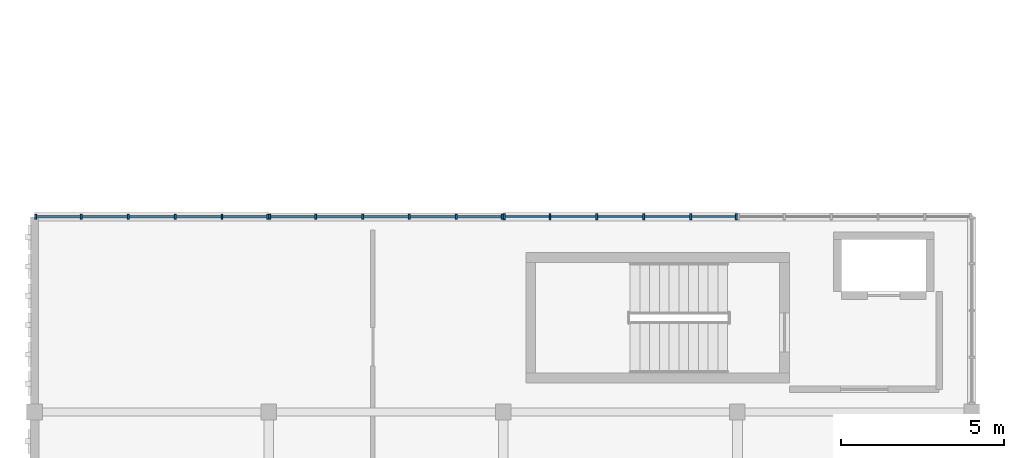
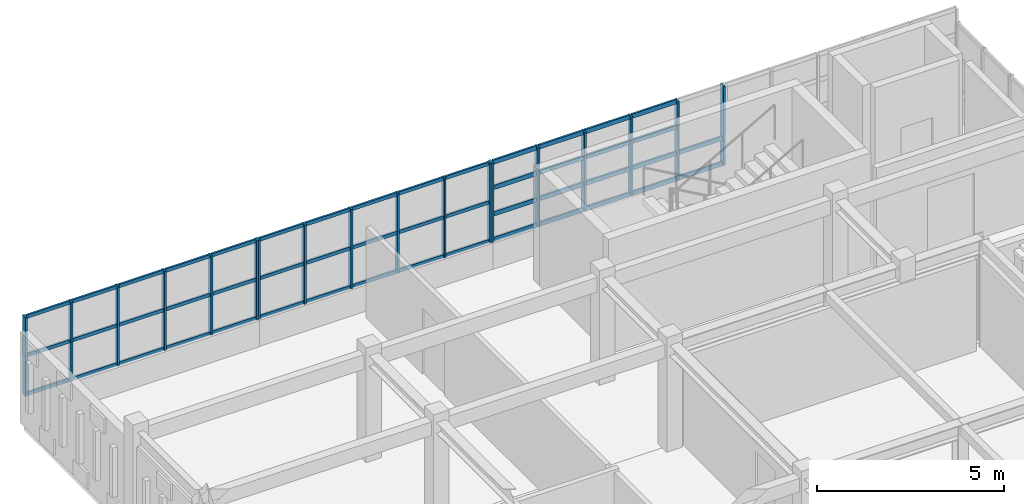
# One storey, part 7 of 53: 66 members, 3 elements without a shape of their own.
"""IFC4 building model written with IfcOpenShell, lengths in metres."""

from ifc_helpers import new_model, si_unit, direction, frame, origin, origin_2d, place, context, subcontext, project, spatial, rectangle, extrude, material, material_profile, profile_set, type_object, element, aggregate, save


model = new_model("IFC4")

# Units and contexts
model_context = context("Model", 3, precision=1e-05, world=origin(), true_north=direction((0.0, 1.0)))
body_context = subcontext(model_context, "Body", "Model", "MODEL_VIEW")
ifc_project = project(units=[si_unit("LENGTHUNIT", "METRE"), si_unit("AREAUNIT", "SQUARE_METRE"), si_unit("VOLUMEUNIT", "CUBIC_METRE"), si_unit("PLANEANGLEUNIT", "RADIAN"), si_unit("MASSUNIT", "GRAM", prefix="KILO")], contexts=[model_context])

# Site, building, storey
site_placement = place(None, origin())
site = spatial("IfcSite", under=ifc_project, at=site_placement, CompositionType="ELEMENT")
building_placement = place(site_placement, origin())
building = spatial("IfcBuilding", under=site, at=building_placement, Name="Nzembalo Square Collegiate School", CompositionType="ELEMENT")
storey_placement = place(building_placement, frame((0.0, 0.0, 13.60009765625)))
storey = spatial("IfcBuildingStorey", under=building, at=storey_placement, Name="L03", CompositionType="ELEMENT", Elevation=13.60009765625)

# Curtain wall, members
ifc_material_1 = material(Name="Aluminium 6060-T66", Category="aluminium")
curtain_wall_type_1 = type_object("IfcCurtainWallType", Name="CW-09", PredefinedType="USERDEFINED", material=ifc_material_1)
curtain_wall_1_placement = place(storey_placement, origin())
curtain_wall_1 = element("IfcCurtainWall", 1, at=curtain_wall_1_placement, inside=storey, type_object=curtain_wall_type_1, Name="Curtain wall CW-09 cw:L03:128", ObjectType="UNITISED", PredefinedType="USERDEFINED")
ifc_material_2 = material(Name="Aluminium 6060-T66", Category="aluminium")
ifc_material_profile_1 = material_profile(ifc_material_2, rectangle(XDim=0.06005859375, YDim=0.179931640625, at=origin_2d()), Name="ALU M60x180")
ifc_profile_set_1 = profile_set([ifc_material_profile_1], Name="Aluminium 6060-T66")
member_type_1 = type_object("IfcMemberType", Name="ML01", PredefinedType="MULLION", material=ifc_profile_set_1)
member_1_placement = place(storey_placement, frame((22.830078125, 88.800048828125, 0.849853515625), z_axis=(0.0, 0.0, 1.0), x_axis=(1.0, 0.0, 0.0)))
member_1 = element("IfcMember", 2, at=member_1_placement, type_object=member_type_1, Name="ML01 mullion 1", PredefinedType="MULLION", context=body_context, shape_type="SweptSolid", body=[
    extrude(rectangle(XDim=0.06005859375, YDim=0.179931640625, at=origin_2d()), origin(), (0.0, 0.0, 1.0), 2.583984375),
])
member_2_placement = place(storey_placement, frame((24.239990234375, 88.800048828125, 0.849853515625), z_axis=(0.0, 0.0, 1.0), x_axis=(1.0, 0.0, 0.0)))
member_2 = element("IfcMember", 3, at=member_2_placement, type_object=member_type_1, Name="ML01 mullion 2", PredefinedType="MULLION", context=body_context, shape_type="SweptSolid", body=[
    extrude(rectangle(XDim=0.06005859375, YDim=0.179931640625, at=origin_2d()), origin(), (0.0, 0.0, 1.0), 2.583984375),
])
member_3_placement = place(storey_placement, frame((25.679931640625, 88.800048828125, 0.849853515625), z_axis=(0.0, 0.0, 1.0), x_axis=(1.0, 0.0, 0.0)))
member_3 = element("IfcMember", 4, at=member_3_placement, type_object=member_type_1, Name="ML01 mullion 3", PredefinedType="MULLION", context=body_context, shape_type="SweptSolid", body=[
    extrude(rectangle(XDim=0.06005859375, YDim=0.179931640625, at=origin_2d()), origin(), (0.0, 0.0, 1.0), 2.583984375),
])
member_4_placement = place(storey_placement, frame((27.1201171875, 88.800048828125, 0.849853515625), z_axis=(0.0, 0.0, 1.0), x_axis=(1.0, 0.0, 0.0)))
member_4 = element("IfcMember", 5, at=member_4_placement, type_object=member_type_1, Name="ML01 mullion 4", PredefinedType="MULLION", context=body_context, shape_type="SweptSolid", body=[
    extrude(rectangle(XDim=0.06005859375, YDim=0.179931640625, at=origin_2d()), origin(), (0.0, 0.0, 1.0), 2.583984375),
])
member_5_placement = place(storey_placement, frame((28.56005859375, 88.800048828125, 0.849853515625), z_axis=(0.0, 0.0, 1.0), x_axis=(1.0, 0.0, 0.0)))
member_5 = element("IfcMember", 6, at=member_5_placement, type_object=member_type_1, Name="ML01 mullion 5", PredefinedType="MULLION", context=body_context, shape_type="SweptSolid", body=[
    extrude(rectangle(XDim=0.06005859375, YDim=0.179931640625, at=origin_2d()), origin(), (0.0, 0.0, 1.0), 2.583984375),
])
member_6_placement = place(storey_placement, frame((29.969970703125, 88.800048828125, 0.849853515625), z_axis=(0.0, 0.0, 1.0), x_axis=(1.0, 0.0, 0.0)))
member_6 = element("IfcMember", 7, at=member_6_placement, type_object=member_type_1, Name="ML01 mullion 6", PredefinedType="MULLION", context=body_context, shape_type="SweptSolid", body=[
    extrude(rectangle(XDim=0.06005859375, YDim=0.179931640625, at=origin_2d()), origin(), (0.0, 0.0, 1.0), 2.583984375),
])

ifc_material_3 = material(Name="Aluminium 6060-T66", Category="aluminium")
curtain_wall_type_2 = type_object("IfcCurtainWallType", Name="CW-11", PredefinedType="USERDEFINED", material=ifc_material_3)
curtain_wall_2_placement = place(storey_placement, origin())
curtain_wall_2 = element("IfcCurtainWall", 8, at=curtain_wall_2_placement, inside=storey, type_object=curtain_wall_type_2, Name="Curtain wall CW-11 cw:L03:126", ObjectType="LANCET", PredefinedType="USERDEFINED")
ifc_material_4 = material(Name="Aluminium 6060-T66", Category="aluminium")
ifc_material_profile_2 = material_profile(ifc_material_4, rectangle(XDim=0.06005859375, YDim=0.14990234375, at=origin_2d()), Name="ALU M60x150")
ifc_profile_set_2 = profile_set([ifc_material_profile_2], Name="Aluminium 6060-T66")
member_type_2 = type_object("IfcMemberType", Name="ML02", PredefinedType="MULLION", material=ifc_profile_set_2)
member_7_placement = place(storey_placement, frame((8.429931640625, 88.800048828125, 0.849853515625), z_axis=(0.0, 0.0, 1.0), x_axis=(1.0, 0.0, 0.0)))
member_7 = element("IfcMember", 9, at=member_7_placement, type_object=member_type_2, Name="ML02 mullion 1", PredefinedType="MULLION", context=body_context, shape_type="SweptSolid", body=[
    extrude(rectangle(XDim=0.06005859375, YDim=0.14990234375, at=origin_2d()), origin(), (0.0, 0.0, 1.0), 2.583984375),
])
member_8_placement = place(storey_placement, frame((9.840087890625, 88.800048828125, 0.849853515625), z_axis=(0.0, 0.0, 1.0), x_axis=(1.0, 0.0, 0.0)))
member_8 = element("IfcMember", 10, at=member_8_placement, type_object=member_type_2, Name="ML02 mullion 2", PredefinedType="MULLION", context=body_context, shape_type="SweptSolid", body=[
    extrude(rectangle(XDim=0.06005859375, YDim=0.14990234375, at=origin_2d()), origin(), (0.0, 0.0, 1.0), 2.583984375),
])
member_9_placement = place(storey_placement, frame((11.280029296875, 88.800048828125, 0.849853515625), z_axis=(0.0, 0.0, 1.0), x_axis=(1.0, 0.0, 0.0)))
member_9 = element("IfcMember", 11, at=member_9_placement, type_object=member_type_2, Name="ML02 mullion 3", PredefinedType="MULLION", context=body_context, shape_type="SweptSolid", body=[
    extrude(rectangle(XDim=0.06005859375, YDim=0.14990234375, at=origin_2d()), origin(), (0.0, 0.0, 1.0), 2.583984375),
])
member_10_placement = place(storey_placement, frame((12.719970703125, 88.800048828125, 0.849853515625), z_axis=(0.0, 0.0, 1.0), x_axis=(1.0, 0.0, 0.0)))
member_10 = element("IfcMember", 12, at=member_10_placement, type_object=member_type_2, Name="ML02 mullion 4", PredefinedType="MULLION", context=body_context, shape_type="SweptSolid", body=[
    extrude(rectangle(XDim=0.06005859375, YDim=0.14990234375, at=origin_2d()), origin(), (0.0, 0.0, 1.0), 2.583984375),
])
member_11_placement = place(storey_placement, frame((14.159912109375, 88.800048828125, 0.849853515625), z_axis=(0.0, 0.0, 1.0), x_axis=(1.0, 0.0, 0.0)))
member_11 = element("IfcMember", 13, at=member_11_placement, type_object=member_type_2, Name="ML02 mullion 5", PredefinedType="MULLION", context=body_context, shape_type="SweptSolid", body=[
    extrude(rectangle(XDim=0.06005859375, YDim=0.14990234375, at=origin_2d()), origin(), (0.0, 0.0, 1.0), 2.583984375),
])
member_12_placement = place(storey_placement, frame((15.570068359375, 88.800048828125, 0.849853515625), z_axis=(0.0, 0.0, 1.0), x_axis=(1.0, 0.0, 0.0)))
member_12 = element("IfcMember", 14, at=member_12_placement, type_object=member_type_2, Name="ML02 mullion 6", PredefinedType="MULLION", context=body_context, shape_type="SweptSolid", body=[
    extrude(rectangle(XDim=0.06005859375, YDim=0.14990234375, at=origin_2d()), origin(), (0.0, 0.0, 1.0), 2.583984375),
])

ifc_material_5 = material(Name="Aluminium 6060-T66", Category="aluminium")
curtain_wall_type_3 = type_object("IfcCurtainWallType", Name="CW-12", PredefinedType="USERDEFINED", material=ifc_material_5)
curtain_wall_3_placement = place(storey_placement, origin())
curtain_wall_3 = element("IfcCurtainWall", 15, at=curtain_wall_3_placement, inside=storey, type_object=curtain_wall_type_3, Name="Curtain wall CW-12 cw:L03:127", ObjectType="LANCET", PredefinedType="USERDEFINED")
member_13_placement = place(storey_placement, frame((15.6298828125, 88.800048828125, 0.849853515625), z_axis=(0.0, 0.0, 1.0), x_axis=(1.0, 0.0, 0.0)))
member_13 = element("IfcMember", 16, at=member_13_placement, type_object=member_type_2, Name="ML02 mullion 1", PredefinedType="MULLION", context=body_context, shape_type="SweptSolid", body=[
    extrude(rectangle(XDim=0.06005859375, YDim=0.14990234375, at=origin_2d()), origin(), (0.0, 0.0, 1.0), 2.583984375),
])
member_14_placement = place(storey_placement, frame((17.0400390625, 88.800048828125, 0.849853515625), z_axis=(0.0, 0.0, 1.0), x_axis=(1.0, 0.0, 0.0)))
member_14 = element("IfcMember", 17, at=member_14_placement, type_object=member_type_2, Name="ML02 mullion 2", PredefinedType="MULLION", context=body_context, shape_type="SweptSolid", body=[
    extrude(rectangle(XDim=0.06005859375, YDim=0.14990234375, at=origin_2d()), origin(), (0.0, 0.0, 1.0), 2.583984375),
])
member_15_placement = place(storey_placement, frame((18.47998046875, 88.800048828125, 0.849853515625), z_axis=(0.0, 0.0, 1.0), x_axis=(1.0, 0.0, 0.0)))
member_15 = element("IfcMember", 18, at=member_15_placement, type_object=member_type_2, Name="ML02 mullion 3", PredefinedType="MULLION", context=body_context, shape_type="SweptSolid", body=[
    extrude(rectangle(XDim=0.06005859375, YDim=0.14990234375, at=origin_2d()), origin(), (0.0, 0.0, 1.0), 2.583984375),
])
member_16_placement = place(storey_placement, frame((19.919921875, 88.800048828125, 0.849853515625), z_axis=(0.0, 0.0, 1.0), x_axis=(1.0, 0.0, 0.0)))
member_16 = element("IfcMember", 19, at=member_16_placement, type_object=member_type_2, Name="ML02 mullion 4", PredefinedType="MULLION", context=body_context, shape_type="SweptSolid", body=[
    extrude(rectangle(XDim=0.06005859375, YDim=0.14990234375, at=origin_2d()), origin(), (0.0, 0.0, 1.0), 2.583984375),
])
member_17_placement = place(storey_placement, frame((21.360107421875, 88.800048828125, 0.849853515625), z_axis=(0.0, 0.0, 1.0), x_axis=(1.0, 0.0, 0.0)))
member_17 = element("IfcMember", 20, at=member_17_placement, type_object=member_type_2, Name="ML02 mullion 5", PredefinedType="MULLION", context=body_context, shape_type="SweptSolid", body=[
    extrude(rectangle(XDim=0.06005859375, YDim=0.14990234375, at=origin_2d()), origin(), (0.0, 0.0, 1.0), 2.583984375),
])
member_18_placement = place(storey_placement, frame((22.77001953125, 88.800048828125, 0.849853515625), z_axis=(0.0, 0.0, 1.0), x_axis=(1.0, 0.0, 0.0)))
member_18 = element("IfcMember", 21, at=member_18_placement, type_object=member_type_2, Name="ML02 mullion 6", PredefinedType="MULLION", context=body_context, shape_type="SweptSolid", body=[
    extrude(rectangle(XDim=0.06005859375, YDim=0.14990234375, at=origin_2d()), origin(), (0.0, 0.0, 1.0), 2.583984375),
])

# Member
ifc_material_6 = material(Name="Aluminium 6060-T66", Category="aluminium")
ifc_material_profile_3 = material_profile(ifc_material_6, rectangle(XDim=0.06005859375, YDim=0.139892578125, at=origin_2d()), Name="ALU T60x140")
ifc_profile_set_3 = profile_set([ifc_material_profile_3], Name="Aluminium 6060-T66")
member_type_3 = type_object("IfcMemberType", Name="TR01", PredefinedType="USERDEFINED", material=ifc_profile_set_3)
member_19_placement = place(storey_placement, frame((22.860107421875, 88.800048828125, 0.8798828125), z_axis=(1.0, 0.0, 0.0), x_axis=(0.0, 1.0, 0.0)))
member_19 = element("IfcMember", 22, at=member_19_placement, type_object=member_type_3, Name="TR01 transom 1-1", ObjectType="TRANSOM", PredefinedType="USERDEFINED", context=body_context, shape_type="SweptSolid", body=[
    extrude(rectangle(XDim=0.06005859375, YDim=0.139892578125, at=origin_2d()), origin(), (0.0, 0.0, 1.0), 1.349853515625),
])

member_20_placement = place(storey_placement, frame((24.27001953125, 88.800048828125, 0.8798828125), z_axis=(1.0, 0.0, 0.0), x_axis=(0.0, 1.0, 0.0)))
member_20 = element("IfcMember", 23, at=member_20_placement, type_object=member_type_3, Name="TR01 transom 1-2", ObjectType="TRANSOM", PredefinedType="USERDEFINED", context=body_context, shape_type="SweptSolid", body=[
    extrude(rectangle(XDim=0.06005859375, YDim=0.139892578125, at=origin_2d()), origin(), (0.0, 0.0, 1.0), 1.3798828125),
])

member_21_placement = place(storey_placement, frame((25.7099609375, 88.800048828125, 0.8798828125), z_axis=(1.0, 0.0, 0.0), x_axis=(0.0, 1.0, 0.0)))
member_21 = element("IfcMember", 24, at=member_21_placement, type_object=member_type_3, Name="TR01 transom 1-3", ObjectType="TRANSOM", PredefinedType="USERDEFINED", context=body_context, shape_type="SweptSolid", body=[
    extrude(rectangle(XDim=0.06005859375, YDim=0.139892578125, at=origin_2d()), origin(), (0.0, 0.0, 1.0), 1.380126953125),
])

member_22_placement = place(storey_placement, frame((27.14990234375, 88.800048828125, 0.8798828125), z_axis=(1.0, 0.0, 0.0), x_axis=(0.0, 1.0, 0.0)))
member_22 = element("IfcMember", 25, at=member_22_placement, type_object=member_type_3, Name="TR01 transom 1-4", ObjectType="TRANSOM", PredefinedType="USERDEFINED", context=body_context, shape_type="SweptSolid", body=[
    extrude(rectangle(XDim=0.06005859375, YDim=0.139892578125, at=origin_2d()), origin(), (0.0, 0.0, 1.0), 1.380126953125),
])

member_23_placement = place(storey_placement, frame((28.590087890625, 88.800048828125, 0.8798828125), z_axis=(1.0, 0.0, 0.0), x_axis=(0.0, 1.0, 0.0)))
member_23 = element("IfcMember", 26, at=member_23_placement, type_object=member_type_3, Name="TR01 transom 1-5", ObjectType="TRANSOM", PredefinedType="USERDEFINED", context=body_context, shape_type="SweptSolid", body=[
    extrude(rectangle(XDim=0.06005859375, YDim=0.139892578125, at=origin_2d()), origin(), (0.0, 0.0, 1.0), 1.349853515625),
])

member_24_placement = place(storey_placement, frame((22.860107421875, 88.800048828125, 1.711181640625), z_axis=(1.0, 0.0, 0.0), x_axis=(0.0, 1.0, 0.0)))
member_24 = element("IfcMember", 27, at=member_24_placement, type_object=member_type_3, Name="TR01 transom 2-1", ObjectType="TRANSOM", PredefinedType="USERDEFINED", context=body_context, shape_type="SweptSolid", body=[
    extrude(rectangle(XDim=0.06005859375, YDim=0.139892578125, at=origin_2d()), origin(), (0.0, 0.0, 1.0), 1.349853515625),
])

member_25_placement = place(storey_placement, frame((24.27001953125, 88.800048828125, 1.711181640625), z_axis=(1.0, 0.0, 0.0), x_axis=(0.0, 1.0, 0.0)))
member_25 = element("IfcMember", 28, at=member_25_placement, type_object=member_type_3, Name="TR01 transom 2-2", ObjectType="TRANSOM", PredefinedType="USERDEFINED", context=body_context, shape_type="SweptSolid", body=[
    extrude(rectangle(XDim=0.06005859375, YDim=0.139892578125, at=origin_2d()), origin(), (0.0, 0.0, 1.0), 1.3798828125),
])

member_26_placement = place(storey_placement, frame((25.7099609375, 88.800048828125, 1.711181640625), z_axis=(1.0, 0.0, 0.0), x_axis=(0.0, 1.0, 0.0)))
member_26 = element("IfcMember", 29, at=member_26_placement, type_object=member_type_3, Name="TR01 transom 2-3", ObjectType="TRANSOM", PredefinedType="USERDEFINED", context=body_context, shape_type="SweptSolid", body=[
    extrude(rectangle(XDim=0.06005859375, YDim=0.139892578125, at=origin_2d()), origin(), (0.0, 0.0, 1.0), 1.380126953125),
])

member_27_placement = place(storey_placement, frame((27.14990234375, 88.800048828125, 1.711181640625), z_axis=(1.0, 0.0, 0.0), x_axis=(0.0, 1.0, 0.0)))
member_27 = element("IfcMember", 30, at=member_27_placement, type_object=member_type_3, Name="TR01 transom 2-4", ObjectType="TRANSOM", PredefinedType="USERDEFINED", context=body_context, shape_type="SweptSolid", body=[
    extrude(rectangle(XDim=0.06005859375, YDim=0.139892578125, at=origin_2d()), origin(), (0.0, 0.0, 1.0), 1.380126953125),
])

member_28_placement = place(storey_placement, frame((28.590087890625, 88.800048828125, 1.711181640625), z_axis=(1.0, 0.0, 0.0), x_axis=(0.0, 1.0, 0.0)))
member_28 = element("IfcMember", 31, at=member_28_placement, type_object=member_type_3, Name="TR01 transom 2-5", ObjectType="TRANSOM", PredefinedType="USERDEFINED", context=body_context, shape_type="SweptSolid", body=[
    extrude(rectangle(XDim=0.06005859375, YDim=0.139892578125, at=origin_2d()), origin(), (0.0, 0.0, 1.0), 1.349853515625),
])

member_29_placement = place(storey_placement, frame((22.860107421875, 88.800048828125, 2.572509765625), z_axis=(1.0, 0.0, 0.0), x_axis=(0.0, 1.0, 0.0)))
member_29 = element("IfcMember", 32, at=member_29_placement, type_object=member_type_3, Name="TR01 transom 3-1", ObjectType="TRANSOM", PredefinedType="USERDEFINED", context=body_context, shape_type="SweptSolid", body=[
    extrude(rectangle(XDim=0.06005859375, YDim=0.139892578125, at=origin_2d()), origin(), (0.0, 0.0, 1.0), 1.349853515625),
])

member_30_placement = place(storey_placement, frame((24.27001953125, 88.800048828125, 2.572509765625), z_axis=(1.0, 0.0, 0.0), x_axis=(0.0, 1.0, 0.0)))
member_30 = element("IfcMember", 33, at=member_30_placement, type_object=member_type_3, Name="TR01 transom 3-2", ObjectType="TRANSOM", PredefinedType="USERDEFINED", context=body_context, shape_type="SweptSolid", body=[
    extrude(rectangle(XDim=0.06005859375, YDim=0.139892578125, at=origin_2d()), origin(), (0.0, 0.0, 1.0), 1.3798828125),
])

member_31_placement = place(storey_placement, frame((25.7099609375, 88.800048828125, 2.572509765625), z_axis=(1.0, 0.0, 0.0), x_axis=(0.0, 1.0, 0.0)))
member_31 = element("IfcMember", 34, at=member_31_placement, type_object=member_type_3, Name="TR01 transom 3-3", ObjectType="TRANSOM", PredefinedType="USERDEFINED", context=body_context, shape_type="SweptSolid", body=[
    extrude(rectangle(XDim=0.06005859375, YDim=0.139892578125, at=origin_2d()), origin(), (0.0, 0.0, 1.0), 1.380126953125),
])

member_32_placement = place(storey_placement, frame((27.14990234375, 88.800048828125, 2.572509765625), z_axis=(1.0, 0.0, 0.0), x_axis=(0.0, 1.0, 0.0)))
member_32 = element("IfcMember", 35, at=member_32_placement, type_object=member_type_3, Name="TR01 transom 3-4", ObjectType="TRANSOM", PredefinedType="USERDEFINED", context=body_context, shape_type="SweptSolid", body=[
    extrude(rectangle(XDim=0.06005859375, YDim=0.139892578125, at=origin_2d()), origin(), (0.0, 0.0, 1.0), 1.380126953125),
])

member_33_placement = place(storey_placement, frame((22.860107421875, 88.800048828125, 3.40380859375), z_axis=(1.0, 0.0, 0.0), x_axis=(0.0, 1.0, 0.0)))
member_33 = element("IfcMember", 36, at=member_33_placement, type_object=member_type_3, Name="TR01 transom 4-1", ObjectType="TRANSOM", PredefinedType="USERDEFINED", context=body_context, shape_type="SweptSolid", body=[
    extrude(rectangle(XDim=0.06005859375, YDim=0.139892578125, at=origin_2d()), origin(), (0.0, 0.0, 1.0), 1.349853515625),
])

member_34_placement = place(storey_placement, frame((24.27001953125, 88.800048828125, 3.40380859375), z_axis=(1.0, 0.0, 0.0), x_axis=(0.0, 1.0, 0.0)))
member_34 = element("IfcMember", 37, at=member_34_placement, type_object=member_type_3, Name="TR01 transom 4-2", ObjectType="TRANSOM", PredefinedType="USERDEFINED", context=body_context, shape_type="SweptSolid", body=[
    extrude(rectangle(XDim=0.06005859375, YDim=0.139892578125, at=origin_2d()), origin(), (0.0, 0.0, 1.0), 1.3798828125),
])

member_35_placement = place(storey_placement, frame((25.7099609375, 88.800048828125, 3.40380859375), z_axis=(1.0, 0.0, 0.0), x_axis=(0.0, 1.0, 0.0)))
member_35 = element("IfcMember", 38, at=member_35_placement, type_object=member_type_3, Name="TR01 transom 4-3", ObjectType="TRANSOM", PredefinedType="USERDEFINED", context=body_context, shape_type="SweptSolid", body=[
    extrude(rectangle(XDim=0.06005859375, YDim=0.139892578125, at=origin_2d()), origin(), (0.0, 0.0, 1.0), 1.380126953125),
])

member_36_placement = place(storey_placement, frame((27.14990234375, 88.800048828125, 3.40380859375), z_axis=(1.0, 0.0, 0.0), x_axis=(0.0, 1.0, 0.0)))
member_36 = element("IfcMember", 39, at=member_36_placement, type_object=member_type_3, Name="TR01 transom 4-4", ObjectType="TRANSOM", PredefinedType="USERDEFINED", context=body_context, shape_type="SweptSolid", body=[
    extrude(rectangle(XDim=0.06005859375, YDim=0.139892578125, at=origin_2d()), origin(), (0.0, 0.0, 1.0), 1.380126953125),
])

aggregate(curtain_wall_1, [member_1, member_2, member_3, member_4, member_5, member_6, member_19, member_20, member_21, member_22, member_23, member_24, member_25, member_26, member_27, member_28, member_29, member_30, member_31, member_32, member_33, member_34, member_35, member_36])

ifc_material_7 = material(Name="Aluminium 6060-T66", Category="aluminium")
ifc_material_profile_4 = material_profile(ifc_material_7, rectangle(XDim=0.06005859375, YDim=0.110107421875, at=origin_2d()), Name="ALU T60x110")
ifc_profile_set_4 = profile_set([ifc_material_profile_4], Name="Aluminium 6060-T66")
member_type_4 = type_object("IfcMemberType", Name="TR02", PredefinedType="USERDEFINED", material=ifc_profile_set_4)
member_37_placement = place(storey_placement, frame((8.4599609375, 88.800048828125, 0.8798828125), z_axis=(1.0, 0.0, 0.0), x_axis=(0.0, 1.0, 0.0)))
member_37 = element("IfcMember", 40, at=member_37_placement, type_object=member_type_4, Name="TR02 transom 1-1", ObjectType="TRANSOM", PredefinedType="USERDEFINED", context=body_context, shape_type="SweptSolid", body=[
    extrude(rectangle(XDim=0.06005859375, YDim=0.110107421875, at=origin_2d()), origin(), (0.0, 0.0, 1.0), 1.35009765625),
])

member_38_placement = place(storey_placement, frame((9.8701171875, 88.800048828125, 0.8798828125), z_axis=(1.0, 0.0, 0.0), x_axis=(0.0, 1.0, 0.0)))
member_38 = element("IfcMember", 41, at=member_38_placement, type_object=member_type_4, Name="TR02 transom 1-2", ObjectType="TRANSOM", PredefinedType="USERDEFINED", context=body_context, shape_type="SweptSolid", body=[
    extrude(rectangle(XDim=0.06005859375, YDim=0.110107421875, at=origin_2d()), origin(), (0.0, 0.0, 1.0), 1.3798828125),
])

member_39_placement = place(storey_placement, frame((11.31005859375, 88.800048828125, 0.8798828125), z_axis=(1.0, 0.0, 0.0), x_axis=(0.0, 1.0, 0.0)))
member_39 = element("IfcMember", 42, at=member_39_placement, type_object=member_type_4, Name="TR02 transom 1-3", ObjectType="TRANSOM", PredefinedType="USERDEFINED", context=body_context, shape_type="SweptSolid", body=[
    extrude(rectangle(XDim=0.06005859375, YDim=0.110107421875, at=origin_2d()), origin(), (0.0, 0.0, 1.0), 1.3798828125),
])

member_40_placement = place(storey_placement, frame((12.75, 88.800048828125, 0.8798828125), z_axis=(1.0, 0.0, 0.0), x_axis=(0.0, 1.0, 0.0)))
member_40 = element("IfcMember", 43, at=member_40_placement, type_object=member_type_4, Name="TR02 transom 1-4", ObjectType="TRANSOM", PredefinedType="USERDEFINED", context=body_context, shape_type="SweptSolid", body=[
    extrude(rectangle(XDim=0.06005859375, YDim=0.110107421875, at=origin_2d()), origin(), (0.0, 0.0, 1.0), 1.3798828125),
])

member_41_placement = place(storey_placement, frame((14.18994140625, 88.800048828125, 0.8798828125), z_axis=(1.0, 0.0, 0.0), x_axis=(0.0, 1.0, 0.0)))
member_41 = element("IfcMember", 44, at=member_41_placement, type_object=member_type_4, Name="TR02 transom 1-5", ObjectType="TRANSOM", PredefinedType="USERDEFINED", context=body_context, shape_type="SweptSolid", body=[
    extrude(rectangle(XDim=0.06005859375, YDim=0.110107421875, at=origin_2d()), origin(), (0.0, 0.0, 1.0), 1.35009765625),
])

member_42_placement = place(storey_placement, frame((8.4599609375, 88.800048828125, 2.141845703125), z_axis=(1.0, 0.0, 0.0), x_axis=(0.0, 1.0, 0.0)))
member_42 = element("IfcMember", 45, at=member_42_placement, type_object=member_type_4, Name="TR02 transom 2-1", ObjectType="TRANSOM", PredefinedType="USERDEFINED", context=body_context, shape_type="SweptSolid", body=[
    extrude(rectangle(XDim=0.06005859375, YDim=0.110107421875, at=origin_2d()), origin(), (0.0, 0.0, 1.0), 1.35009765625),
])

member_43_placement = place(storey_placement, frame((9.8701171875, 88.800048828125, 2.141845703125), z_axis=(1.0, 0.0, 0.0), x_axis=(0.0, 1.0, 0.0)))
member_43 = element("IfcMember", 46, at=member_43_placement, type_object=member_type_4, Name="TR02 transom 2-2", ObjectType="TRANSOM", PredefinedType="USERDEFINED", context=body_context, shape_type="SweptSolid", body=[
    extrude(rectangle(XDim=0.06005859375, YDim=0.110107421875, at=origin_2d()), origin(), (0.0, 0.0, 1.0), 1.3798828125),
])

member_44_placement = place(storey_placement, frame((11.31005859375, 88.800048828125, 2.141845703125), z_axis=(1.0, 0.0, 0.0), x_axis=(0.0, 1.0, 0.0)))
member_44 = element("IfcMember", 47, at=member_44_placement, type_object=member_type_4, Name="TR02 transom 2-3", ObjectType="TRANSOM", PredefinedType="USERDEFINED", context=body_context, shape_type="SweptSolid", body=[
    extrude(rectangle(XDim=0.06005859375, YDim=0.110107421875, at=origin_2d()), origin(), (0.0, 0.0, 1.0), 1.3798828125),
])

member_45_placement = place(storey_placement, frame((12.75, 88.800048828125, 2.141845703125), z_axis=(1.0, 0.0, 0.0), x_axis=(0.0, 1.0, 0.0)))
member_45 = element("IfcMember", 48, at=member_45_placement, type_object=member_type_4, Name="TR02 transom 2-4", ObjectType="TRANSOM", PredefinedType="USERDEFINED", context=body_context, shape_type="SweptSolid", body=[
    extrude(rectangle(XDim=0.06005859375, YDim=0.110107421875, at=origin_2d()), origin(), (0.0, 0.0, 1.0), 1.3798828125),
])

member_46_placement = place(storey_placement, frame((14.18994140625, 88.800048828125, 2.141845703125), z_axis=(1.0, 0.0, 0.0), x_axis=(0.0, 1.0, 0.0)))
member_46 = element("IfcMember", 49, at=member_46_placement, type_object=member_type_4, Name="TR02 transom 2-5", ObjectType="TRANSOM", PredefinedType="USERDEFINED", context=body_context, shape_type="SweptSolid", body=[
    extrude(rectangle(XDim=0.06005859375, YDim=0.110107421875, at=origin_2d()), origin(), (0.0, 0.0, 1.0), 1.35009765625),
])

member_47_placement = place(storey_placement, frame((8.4599609375, 88.800048828125, 3.40380859375), z_axis=(1.0, 0.0, 0.0), x_axis=(0.0, 1.0, 0.0)))
member_47 = element("IfcMember", 50, at=member_47_placement, type_object=member_type_4, Name="TR02 transom 3-1", ObjectType="TRANSOM", PredefinedType="USERDEFINED", context=body_context, shape_type="SweptSolid", body=[
    extrude(rectangle(XDim=0.06005859375, YDim=0.110107421875, at=origin_2d()), origin(), (0.0, 0.0, 1.0), 1.35009765625),
])

member_48_placement = place(storey_placement, frame((9.8701171875, 88.800048828125, 3.40380859375), z_axis=(1.0, 0.0, 0.0), x_axis=(0.0, 1.0, 0.0)))
member_48 = element("IfcMember", 51, at=member_48_placement, type_object=member_type_4, Name="TR02 transom 3-2", ObjectType="TRANSOM", PredefinedType="USERDEFINED", context=body_context, shape_type="SweptSolid", body=[
    extrude(rectangle(XDim=0.06005859375, YDim=0.110107421875, at=origin_2d()), origin(), (0.0, 0.0, 1.0), 1.3798828125),
])

member_49_placement = place(storey_placement, frame((11.31005859375, 88.800048828125, 3.40380859375), z_axis=(1.0, 0.0, 0.0), x_axis=(0.0, 1.0, 0.0)))
member_49 = element("IfcMember", 52, at=member_49_placement, type_object=member_type_4, Name="TR02 transom 3-3", ObjectType="TRANSOM", PredefinedType="USERDEFINED", context=body_context, shape_type="SweptSolid", body=[
    extrude(rectangle(XDim=0.06005859375, YDim=0.110107421875, at=origin_2d()), origin(), (0.0, 0.0, 1.0), 1.3798828125),
])

member_50_placement = place(storey_placement, frame((12.75, 88.800048828125, 3.40380859375), z_axis=(1.0, 0.0, 0.0), x_axis=(0.0, 1.0, 0.0)))
member_50 = element("IfcMember", 53, at=member_50_placement, type_object=member_type_4, Name="TR02 transom 3-4", ObjectType="TRANSOM", PredefinedType="USERDEFINED", context=body_context, shape_type="SweptSolid", body=[
    extrude(rectangle(XDim=0.06005859375, YDim=0.110107421875, at=origin_2d()), origin(), (0.0, 0.0, 1.0), 1.3798828125),
])

member_51_placement = place(storey_placement, frame((14.18994140625, 88.800048828125, 3.40380859375), z_axis=(1.0, 0.0, 0.0), x_axis=(0.0, 1.0, 0.0)))
member_51 = element("IfcMember", 54, at=member_51_placement, type_object=member_type_4, Name="TR02 transom 3-5", ObjectType="TRANSOM", PredefinedType="USERDEFINED", context=body_context, shape_type="SweptSolid", body=[
    extrude(rectangle(XDim=0.06005859375, YDim=0.110107421875, at=origin_2d()), origin(), (0.0, 0.0, 1.0), 1.35009765625),
])

aggregate(curtain_wall_2, [member_7, member_8, member_9, member_10, member_11, member_12, member_37, member_38, member_39, member_40, member_41, member_42, member_43, member_44, member_45, member_46, member_47, member_48, member_49, member_50, member_51])

member_52_placement = place(storey_placement, frame((15.659912109375, 88.800048828125, 0.8798828125), z_axis=(1.0, 0.0, 0.0), x_axis=(0.0, 1.0, 0.0)))
member_52 = element("IfcMember", 55, at=member_52_placement, type_object=member_type_4, Name="TR02 transom 1-1", ObjectType="TRANSOM", PredefinedType="USERDEFINED", context=body_context, shape_type="SweptSolid", body=[
    extrude(rectangle(XDim=0.06005859375, YDim=0.110107421875, at=origin_2d()), origin(), (0.0, 0.0, 1.0), 1.35009765625),
])

member_53_placement = place(storey_placement, frame((17.070068359375, 88.800048828125, 0.8798828125), z_axis=(1.0, 0.0, 0.0), x_axis=(0.0, 1.0, 0.0)))
member_53 = element("IfcMember", 56, at=member_53_placement, type_object=member_type_4, Name="TR02 transom 1-2", ObjectType="TRANSOM", PredefinedType="USERDEFINED", context=body_context, shape_type="SweptSolid", body=[
    extrude(rectangle(XDim=0.06005859375, YDim=0.110107421875, at=origin_2d()), origin(), (0.0, 0.0, 1.0), 1.3798828125),
])

member_54_placement = place(storey_placement, frame((18.510009765625, 88.800048828125, 0.8798828125), z_axis=(1.0, 0.0, 0.0), x_axis=(0.0, 1.0, 0.0)))
member_54 = element("IfcMember", 57, at=member_54_placement, type_object=member_type_4, Name="TR02 transom 1-3", ObjectType="TRANSOM", PredefinedType="USERDEFINED", context=body_context, shape_type="SweptSolid", body=[
    extrude(rectangle(XDim=0.06005859375, YDim=0.110107421875, at=origin_2d()), origin(), (0.0, 0.0, 1.0), 1.3798828125),
])

member_55_placement = place(storey_placement, frame((19.949951171875, 88.800048828125, 0.8798828125), z_axis=(1.0, 0.0, 0.0), x_axis=(0.0, 1.0, 0.0)))
member_55 = element("IfcMember", 58, at=member_55_placement, type_object=member_type_4, Name="TR02 transom 1-4", ObjectType="TRANSOM", PredefinedType="USERDEFINED", context=body_context, shape_type="SweptSolid", body=[
    extrude(rectangle(XDim=0.06005859375, YDim=0.110107421875, at=origin_2d()), origin(), (0.0, 0.0, 1.0), 1.380126953125),
])

member_56_placement = place(storey_placement, frame((21.389892578125, 88.800048828125, 0.8798828125), z_axis=(1.0, 0.0, 0.0), x_axis=(0.0, 1.0, 0.0)))
member_56 = element("IfcMember", 59, at=member_56_placement, type_object=member_type_4, Name="TR02 transom 1-5", ObjectType="TRANSOM", PredefinedType="USERDEFINED", context=body_context, shape_type="SweptSolid", body=[
    extrude(rectangle(XDim=0.06005859375, YDim=0.110107421875, at=origin_2d()), origin(), (0.0, 0.0, 1.0), 1.35009765625),
])

member_57_placement = place(storey_placement, frame((15.659912109375, 88.800048828125, 2.141845703125), z_axis=(1.0, 0.0, 0.0), x_axis=(0.0, 1.0, 0.0)))
member_57 = element("IfcMember", 60, at=member_57_placement, type_object=member_type_4, Name="TR02 transom 2-1", ObjectType="TRANSOM", PredefinedType="USERDEFINED", context=body_context, shape_type="SweptSolid", body=[
    extrude(rectangle(XDim=0.06005859375, YDim=0.110107421875, at=origin_2d()), origin(), (0.0, 0.0, 1.0), 1.35009765625),
])

member_58_placement = place(storey_placement, frame((17.070068359375, 88.800048828125, 2.141845703125), z_axis=(1.0, 0.0, 0.0), x_axis=(0.0, 1.0, 0.0)))
member_58 = element("IfcMember", 61, at=member_58_placement, type_object=member_type_4, Name="TR02 transom 2-2", ObjectType="TRANSOM", PredefinedType="USERDEFINED", context=body_context, shape_type="SweptSolid", body=[
    extrude(rectangle(XDim=0.06005859375, YDim=0.110107421875, at=origin_2d()), origin(), (0.0, 0.0, 1.0), 1.3798828125),
])

member_59_placement = place(storey_placement, frame((18.510009765625, 88.800048828125, 2.141845703125), z_axis=(1.0, 0.0, 0.0), x_axis=(0.0, 1.0, 0.0)))
member_59 = element("IfcMember", 62, at=member_59_placement, type_object=member_type_4, Name="TR02 transom 2-3", ObjectType="TRANSOM", PredefinedType="USERDEFINED", context=body_context, shape_type="SweptSolid", body=[
    extrude(rectangle(XDim=0.06005859375, YDim=0.110107421875, at=origin_2d()), origin(), (0.0, 0.0, 1.0), 1.3798828125),
])

member_60_placement = place(storey_placement, frame((19.949951171875, 88.800048828125, 2.141845703125), z_axis=(1.0, 0.0, 0.0), x_axis=(0.0, 1.0, 0.0)))
member_60 = element("IfcMember", 63, at=member_60_placement, type_object=member_type_4, Name="TR02 transom 2-4", ObjectType="TRANSOM", PredefinedType="USERDEFINED", context=body_context, shape_type="SweptSolid", body=[
    extrude(rectangle(XDim=0.06005859375, YDim=0.110107421875, at=origin_2d()), origin(), (0.0, 0.0, 1.0), 1.380126953125),
])

member_61_placement = place(storey_placement, frame((21.389892578125, 88.800048828125, 2.141845703125), z_axis=(1.0, 0.0, 0.0), x_axis=(0.0, 1.0, 0.0)))
member_61 = element("IfcMember", 64, at=member_61_placement, type_object=member_type_4, Name="TR02 transom 2-5", ObjectType="TRANSOM", PredefinedType="USERDEFINED", context=body_context, shape_type="SweptSolid", body=[
    extrude(rectangle(XDim=0.06005859375, YDim=0.110107421875, at=origin_2d()), origin(), (0.0, 0.0, 1.0), 1.35009765625),
])

member_62_placement = place(storey_placement, frame((15.659912109375, 88.800048828125, 3.40380859375), z_axis=(1.0, 0.0, 0.0), x_axis=(0.0, 1.0, 0.0)))
member_62 = element("IfcMember", 65, at=member_62_placement, type_object=member_type_4, Name="TR02 transom 3-1", ObjectType="TRANSOM", PredefinedType="USERDEFINED", context=body_context, shape_type="SweptSolid", body=[
    extrude(rectangle(XDim=0.06005859375, YDim=0.110107421875, at=origin_2d()), origin(), (0.0, 0.0, 1.0), 1.35009765625),
])

member_63_placement = place(storey_placement, frame((17.070068359375, 88.800048828125, 3.40380859375), z_axis=(1.0, 0.0, 0.0), x_axis=(0.0, 1.0, 0.0)))
member_63 = element("IfcMember", 66, at=member_63_placement, type_object=member_type_4, Name="TR02 transom 3-2", ObjectType="TRANSOM", PredefinedType="USERDEFINED", context=body_context, shape_type="SweptSolid", body=[
    extrude(rectangle(XDim=0.06005859375, YDim=0.110107421875, at=origin_2d()), origin(), (0.0, 0.0, 1.0), 1.3798828125),
])

member_64_placement = place(storey_placement, frame((18.510009765625, 88.800048828125, 3.40380859375), z_axis=(1.0, 0.0, 0.0), x_axis=(0.0, 1.0, 0.0)))
member_64 = element("IfcMember", 67, at=member_64_placement, type_object=member_type_4, Name="TR02 transom 3-3", ObjectType="TRANSOM", PredefinedType="USERDEFINED", context=body_context, shape_type="SweptSolid", body=[
    extrude(rectangle(XDim=0.06005859375, YDim=0.110107421875, at=origin_2d()), origin(), (0.0, 0.0, 1.0), 1.3798828125),
])

member_65_placement = place(storey_placement, frame((19.949951171875, 88.800048828125, 3.40380859375), z_axis=(1.0, 0.0, 0.0), x_axis=(0.0, 1.0, 0.0)))
member_65 = element("IfcMember", 68, at=member_65_placement, type_object=member_type_4, Name="TR02 transom 3-4", ObjectType="TRANSOM", PredefinedType="USERDEFINED", context=body_context, shape_type="SweptSolid", body=[
    extrude(rectangle(XDim=0.06005859375, YDim=0.110107421875, at=origin_2d()), origin(), (0.0, 0.0, 1.0), 1.380126953125),
])

member_66_placement = place(storey_placement, frame((21.389892578125, 88.800048828125, 3.40380859375), z_axis=(1.0, 0.0, 0.0), x_axis=(0.0, 1.0, 0.0)))
member_66 = element("IfcMember", 69, at=member_66_placement, type_object=member_type_4, Name="TR02 transom 3-5", ObjectType="TRANSOM", PredefinedType="USERDEFINED", context=body_context, shape_type="SweptSolid", body=[
    extrude(rectangle(XDim=0.06005859375, YDim=0.110107421875, at=origin_2d()), origin(), (0.0, 0.0, 1.0), 1.35009765625),
])

aggregate(curtain_wall_3, [member_13, member_14, member_15, member_16, member_17, member_18, member_52, member_53, member_54, member_55, member_56, member_57, member_58, member_59, member_60, member_61, member_62, member_63, member_64, member_65, member_66])

save(model, "model.ifc")
